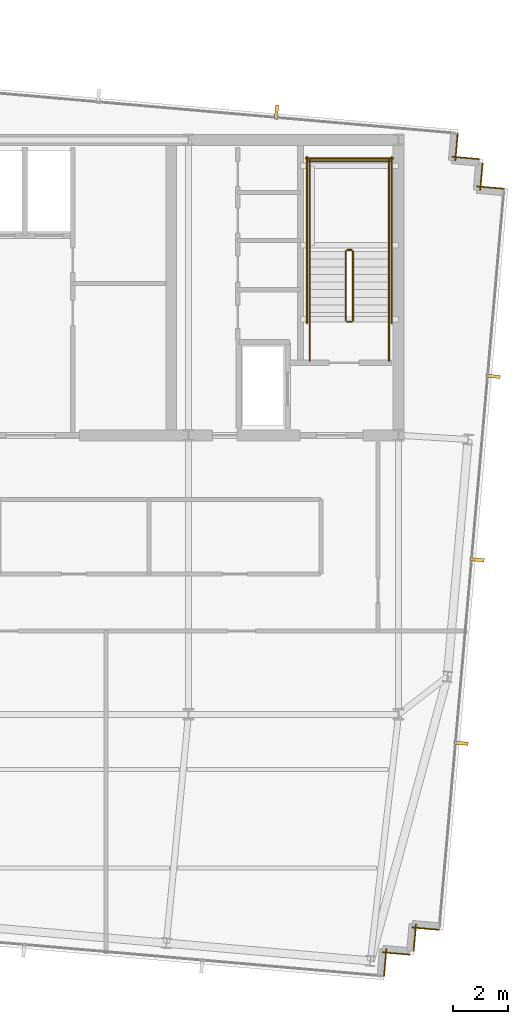
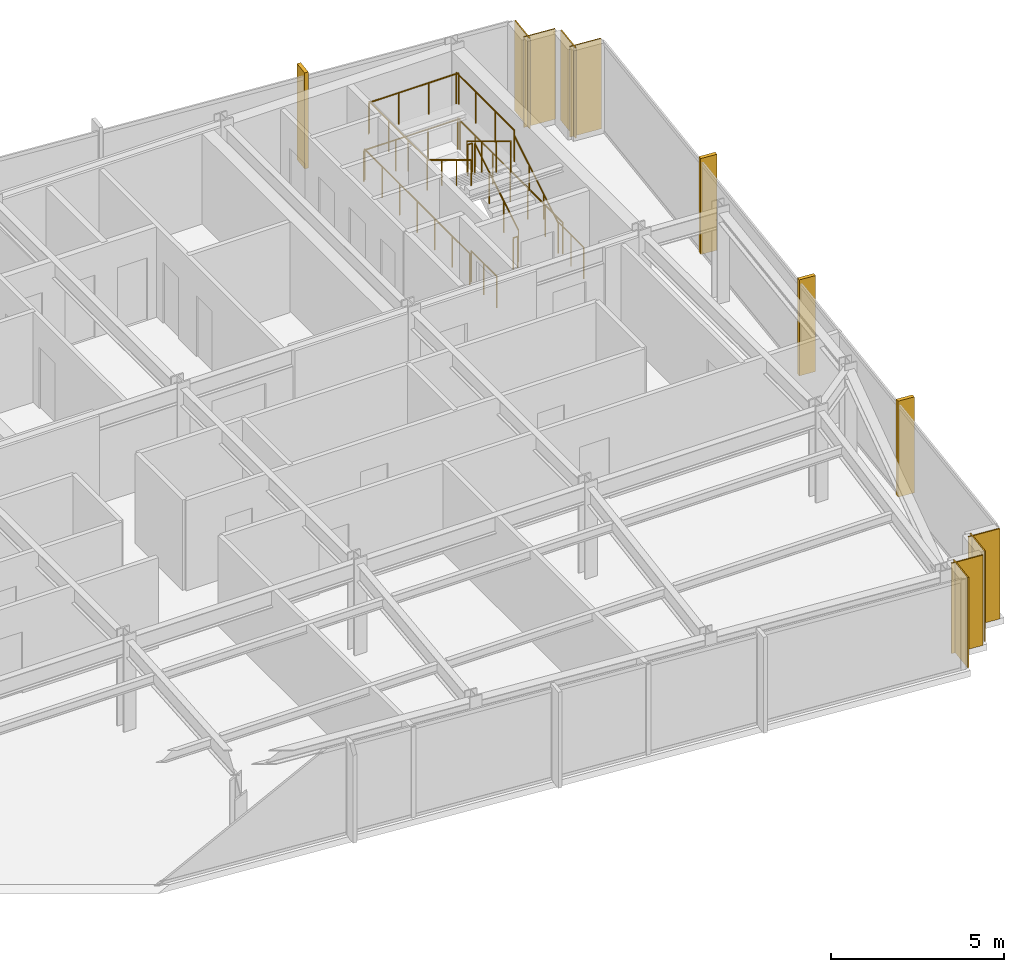
# One storey, part 31 of 32: 14 railings, 8 coverings, 4 shading devices.
"""IFC4 building model written with IfcOpenShell, lengths in metres."""

import ifcopenshell
import ifcopenshell.guid

model = None  # the IFC model being written
_history = None  # IfcOwnerHistory: only IFC2X3 demands one
_inside = {}  # id of a spatial element -> (the spatial element, [elements in it])
_under = {}  # id of a project, library or spatial element -> (it, [spatial elements below it])
_declared = {}  # id of a project -> (the project, [libraries it declares])
_typed = {}  # id of a type object -> (the type object, [elements of that type])
_made_of = {}  # id of a material, layer set ... -> (it, [elements and type objects made of it])


def new_model(schema):
    """Start an empty IFC model of exactly this schema.

    Asked for "IFC4X3", IfcOpenShell would pick the latest addendum, in which some entities
    have other attributes; the version numbers below select the first issue.
    IFC2X3 requires an IfcOwnerHistory on every rooted entity: one is made here for all.
    """
    global model, _history
    if schema == "IFC4X3":
        model = ifcopenshell.file(schema_version=(4, 3, 0, 0))
    else:
        model = ifcopenshell.file(schema=schema)
    _inside.clear()
    _under.clear()
    _declared.clear()
    _typed.clear()
    _made_of.clear()
    _history = None
    if model.schema == "IFC2X3":
        org = make("IfcOrganization", Name="unknown")
        user = make(
            "IfcPersonAndOrganization",
            ThePerson=make("IfcPerson", FamilyName="unknown"),
            TheOrganization=org,
        )
        app = make(
            "IfcApplication",
            ApplicationDeveloper=org,
            Version="unknown",
            ApplicationFullName="unknown",
            ApplicationIdentifier="unknown",
        )
        _history = make(
            "IfcOwnerHistory",
            OwningUser=user,
            OwningApplication=app,
            ChangeAction="ADDED",
            CreationDate=0,
        )
    return model


def make(cls, **values):
    """One entity of the class cls with the attributes given. An attribute that is None is left unset."""
    return model.create_entity(
        cls, **{name: value for name, value in values.items() if value is not None}
    )


def rooted(cls, **values):
    """An entity with a GlobalId (a new one), such as an element, a storey or a relation."""
    return make(cls, GlobalId=ifcopenshell.guid.new(), OwnerHistory=_history, **values)


def si_unit(unit_type, name, prefix=None):
    """IfcSIUnit, for example si_unit("LENGTHUNIT", "METRE", prefix="MILLI")."""
    return make("IfcSIUnit", UnitType=unit_type, Prefix=prefix, Name=name)


def assignment(units):
    """IfcUnitAssignment: the units of a project."""
    return None if units is None else make("IfcUnitAssignment", Units=units)


def point(xyz):
    """IfcCartesianPoint."""
    return None if xyz is None else make("IfcCartesianPoint", Coordinates=xyz)


def direction(xyz):
    """IfcDirection."""
    return None if xyz is None else make("IfcDirection", DirectionRatios=xyz)


def frame(location, z_axis=None, x_axis=None):
    """IfcAxis2Placement3D, a coordinate frame: its origin and axes. An axis left out is left unset."""
    return make(
        "IfcAxis2Placement3D",
        Location=point(location),
        Axis=direction(z_axis),
        RefDirection=direction(x_axis),
    )


def frame_2d(location, x_axis=None):
    """IfcAxis2Placement2D, a coordinate frame in the plane: its origin and x axis."""
    return make(
        "IfcAxis2Placement2D", Location=point(location), RefDirection=direction(x_axis)
    )


def origin():
    """The frame at (0, 0, 0) with its axes left unset."""
    return frame((0.0, 0.0, 0.0))


def origin_2d():
    """The frame at (0, 0) in the plane with its x axis left unset."""
    return frame_2d((0.0, 0.0))


def place(relative_to, where):
    """IfcLocalPlacement: puts the frame where relative to a parent placement (None: the world)."""
    return make(
        "IfcLocalPlacement", PlacementRelTo=relative_to, RelativePlacement=where
    )


def context(
    kind, dimensions, precision=None, world=None, true_north=None, identifier=None
):
    """IfcGeometricRepresentationContext, for example the 3D "Model" context."""
    return make(
        "IfcGeometricRepresentationContext",
        ContextIdentifier=identifier,
        ContextType=kind,
        CoordinateSpaceDimension=dimensions,
        Precision=precision,
        WorldCoordinateSystem=world,
        TrueNorth=true_north,
    )


def subcontext(parent, identifier, kind, view, scale=None):
    """IfcGeometricRepresentationSubContext, for example "Body" below "Model"."""
    return make(
        "IfcGeometricRepresentationSubContext",
        ContextIdentifier=identifier,
        ContextType=kind,
        ParentContext=parent,
        TargetScale=scale,
        TargetView=view,
    )


def project(units=None, contexts=None):
    """IfcProject with its units and contexts."""
    return rooted(
        "IfcProject",
        Name="project",
        RepresentationContexts=contexts,
        UnitsInContext=assignment(units),
    )


def spatial(cls, under=None, at=None, **own):
    """A site, building, storey or space (cls), placed at a placement, below another one or the project."""
    s = rooted(cls, ObjectPlacement=at, **own)
    if under is not None:
        _under.setdefault(under.id(), (under, []))[1].append(s)
    return s


def profile(cls, at=None, kind="AREA", **sizes):
    """A parametric profile (cls). Its sizes go by their IFC names, for example OverallWidth=200.0."""
    return make(cls, ProfileType=kind, Position=at, **sizes)


def rectangle(**sizes):
    """IfcRectangleProfileDef."""
    return profile("IfcRectangleProfileDef", **sizes)


def circle(**sizes):
    """IfcCircleProfileDef."""
    return profile("IfcCircleProfileDef", **sizes)


def extrude(swept, where, along, depth):
    """IfcExtrudedAreaSolid: the profile swept, set in the frame where, extruded along a direction by depth."""
    return make(
        "IfcExtrudedAreaSolid",
        SweptArea=swept,
        Position=where,
        ExtrudedDirection=direction(along),
        Depth=depth,
    )


def shape(context_of_items, identifier, shape_type, items):
    """IfcShapeRepresentation: the items that make up one representation, for example the "Body"."""
    return make(
        "IfcShapeRepresentation",
        ContextOfItems=context_of_items,
        RepresentationIdentifier=identifier,
        RepresentationType=shape_type,
        Items=items,
    )


def material(Name=None, Category=None):
    """IfcMaterial."""
    return make("IfcMaterial", Name=Name, Category=Category)


def layer(
    of_material, thickness, ventilated=None, Name=None, Category=None, Priority=None
):
    """IfcMaterialLayer: one layer of a wall or slab, of a material (None: an air gap)."""
    return make(
        "IfcMaterialLayer",
        Material=of_material,
        LayerThickness=thickness,
        IsVentilated=ventilated,
        Name=Name,
        Category=Category,
        Priority=Priority,
    )


def layer_set(layers, Name=None):
    """IfcMaterialLayerSet."""
    return make("IfcMaterialLayerSet", MaterialLayers=layers, LayerSetName=Name)


def made_of(thing, what):
    """Note that an element or type object is made of a material, layer set ...; save() writes the relation."""
    if what is not None:
        _made_of.setdefault(what.id(), (what, []))[1].append(thing)
    return thing


def type_object(cls, material=None, **own):
    """A type object (cls), such as IfcWallType, which elements share."""
    return made_of(rooted(cls, **own), material)


def element(
    cls,
    number,
    at=None,
    inside=None,
    cuts=None,
    type_object=None,
    material=None,
    context=None,
    identifier="Body",
    shape_type=None,
    held_by="IfcProductDefinitionShape",
    body=None,
    shapes=None,
    **own,
):
    """One element of the class cls, such as IfcWall. Its Tag is "e" and its number.

    at: its placement. inside: the storey or other place that contains it. cuts: it is an
    opening in that element (IfcRelVoidsElement). A single representation is given by context,
    identifier, shape_type and body (its items); several are given by shapes. held_by: the class
    of the entity that holds the representations. save() writes the other relations.
    """
    e = rooted(cls, Tag="e%d" % number, ObjectPlacement=at, **own)
    if body is not None:
        shapes = [shape(context, identifier, shape_type, body)]
    if shapes is not None:
        e.Representation = make(held_by, Representations=shapes)
    if inside is not None:
        _inside.setdefault(inside.id(), (inside, []))[1].append(e)
    if cuts is not None:
        rooted(
            "IfcRelVoidsElement", RelatingBuildingElement=cuts, RelatedOpeningElement=e
        )
    if type_object is not None:
        _typed.setdefault(type_object.id(), (type_object, []))[1].append(e)
    return made_of(e, material)


def aggregate(whole, parts):
    """IfcRelAggregates: a whole, such as a stair, and the parts it consists of."""
    return rooted("IfcRelAggregates", RelatingObject=whole, RelatedObjects=parts)


def save(model, path):
    """Write the relations noted so far, then the file.

    IfcRelAggregates (storeys below a building ...), IfcRelContainedInSpatialStructure (elements
    in a storey), IfcRelDefinesByType, IfcRelAssociatesMaterial and IfcRelDeclares: one each for
    every whole, place, type object, material and project.
    """
    for whole, parts in _under.values():
        aggregate(whole, parts)
    for where, things in _inside.values():
        rooted(
            "IfcRelContainedInSpatialStructure",
            RelatedElements=things,
            RelatingStructure=where,
        )
    for kind, things in _typed.values():
        rooted("IfcRelDefinesByType", RelatedObjects=things, RelatingType=kind)
    for what, things in _made_of.values():
        rooted("IfcRelAssociatesMaterial", RelatedObjects=things, RelatingMaterial=what)
    for by, libraries in _declared.values():
        rooted("IfcRelDeclares", RelatingContext=by, RelatedDefinitions=libraries)
    model.write(path)


model = new_model("IFC4")

# Units and contexts
model_context = context("Model", 3, precision=1e-05, world=origin(), true_north=direction((0.0, 1.0)))
body_context = subcontext(model_context, "Body", "Model", "MODEL_VIEW")
ifc_project = project(units=[si_unit("LENGTHUNIT", "METRE"), si_unit("AREAUNIT", "SQUARE_METRE"), si_unit("VOLUMEUNIT", "CUBIC_METRE"), si_unit("PLANEANGLEUNIT", "RADIAN"), si_unit("MASSUNIT", "GRAM", prefix="KILO")], contexts=[model_context])

# Site, building, storey
site_placement = place(None, origin())
site = spatial("IfcSite", under=ifc_project, at=site_placement, CompositionType="ELEMENT")
building_placement = place(site_placement, origin())
building = spatial("IfcBuilding", under=site, at=building_placement, Name="Yelkora Congress Tower", CompositionType="ELEMENT")
storey_placement = place(building_placement, frame((0.0, 0.0, 272.699951171875)))
storey = spatial("IfcBuildingStorey", under=building, at=storey_placement, Name="L76", CompositionType="ELEMENT", Elevation=272.699951171875)

# Coverings
ifc_material_1 = material(Name="Anatolian bush-hammered limestone", Category="masonry")
ifc_layer_1 = layer(ifc_material_1, 0.0400390625)
ifc_layer_set_1 = layer_set([ifc_layer_1], Name="Anatolian bush-hammered limestone")
covering_type = type_object("IfcCoveringType", Name="COV-CLAD-SPANDREL-40", PredefinedType="CLADDING", material=ifc_layer_set_1)
for number, where, z_axis, x_axis, name in (
    (1, (55.92041015625, 46.431396484375, 0.0), (0.0, 0.0, 1.0), (-0.086903493655, -0.996216734848, 0.0), "L76 Anatolian Limestone Cladding EW-L76-SR11"),
    (2, (55.710693359375, 45.581298828125, 0.0), (0.0, 0.0, 1.0), (0.996193717496, -0.087166950281, 0.0), "L76 Anatolian Limestone Cladding EW-L76-SR12"),
    (3, (56.82958984375, 45.347900390625, 0.0), (0.0, 0.0, 1.0), (-0.087166950281, -0.996193717496, 0.0), "L76 Anatolian Limestone Cladding EW-L76-SR13"),
):
    element("IfcCovering", number, at=place(storey_placement, frame(where, z_axis=z_axis, x_axis=x_axis)), inside=storey, type_object=covering_type, Name=name, PredefinedType="CLADDING", context=body_context, shape_type="SweptSolid", body=[
        extrude(rectangle(XDim=1.0, YDim=0.0400390625, at=frame_2d((0.5, 0.0))), origin(), (0.0, 0.0, 1.0), 3.179931640625),
    ])
covering_1_placement = place(storey_placement, frame((56.61962890625, 44.498046875, 0.0), z_axis=(0.0, 0.0, 1.0), x_axis=(0.996195572005, -0.087145753297, 0.0)))
element("IfcCovering", 4, at=covering_1_placement, inside=storey, type_object=covering_type, Name="L76 Anatolian Limestone Cladding EW-L76-SR14", PredefinedType="CLADDING", context=body_context, shape_type="SweptSolid", body=[
    extrude(rectangle(XDim=1.000244140625, YDim=0.0400390625, at=frame_2d((0.5, 0.0))), origin(), (0.0, 0.0, 1.0), 3.179931640625),
])
for number, where, z_axis, x_axis, name in (
    (5, (55.24609375, 17.32421875, 0.0), (0.0, 0.0, 1.0), (-0.99617248636, 0.08740925248, 0.0), "L76 Anatolian Limestone Cladding EW-L76-SR16"),
    (6, (54.396240234375, 17.5341796875, 0.0), (0.0, 0.0, 1.0), (-0.087166950281, -0.996193717496, 0.0), "L76 Anatolian Limestone Cladding EW-L76-SR17"),
):
    element("IfcCovering", number, at=place(storey_placement, frame(where, z_axis=z_axis, x_axis=x_axis)), inside=storey, type_object=covering_type, Name=name, PredefinedType="CLADDING", context=body_context, shape_type="SweptSolid", body=[
        extrude(rectangle(XDim=1.0, YDim=0.0400390625, at=frame_2d((0.5, 0.0))), origin(), (0.0, 0.0, 1.0), 3.179931640625),
    ])
covering_2_placement = place(storey_placement, frame((54.162841796875, 16.415283203125, 0.0), z_axis=(0.0, 0.0, 1.0), x_axis=(-0.996195572005, 0.087145753297, 0.0)))
element("IfcCovering", 7, at=covering_2_placement, inside=storey, type_object=covering_type, Name="L76 Anatolian Limestone Cladding EW-L76-SR18", PredefinedType="CLADDING", context=body_context, shape_type="SweptSolid", body=[
    extrude(rectangle(XDim=1.000244140625, YDim=0.0400390625, at=frame_2d((0.5, 0.0))), origin(), (0.0, 0.0, 1.0), 3.179931640625),
])
covering_3_placement = place(storey_placement, frame((53.312744140625, 16.625, 0.0), z_axis=(0.0, 0.0, 1.0), x_axis=(-0.087166950281, -0.996193717496, 0.0)))
element("IfcCovering", 8, at=covering_3_placement, inside=storey, type_object=covering_type, Name="L76 Anatolian Limestone Cladding EW-L76-SR19", PredefinedType="CLADDING", context=body_context, shape_type="SweptSolid", body=[
    extrude(rectangle(XDim=1.0, YDim=0.0400390625, at=frame_2d((0.5, 0.0))), origin(), (0.0, 0.0, 1.0), 3.179931640625),
])

# Railings
ifc_material_2 = material(Name="Painted galvanised steel stair well guard with vertical infill", Category="steel")
ifc_layer_2 = layer(ifc_material_2, 0.06005859375)
ifc_layer_set_2 = layer_set([ifc_layer_2], Name="Painted galvanised steel stair well guard with vertical infill")
railing_type_1 = type_object("IfcRailingType", Name="RAIL-STAIR-GUARD-1120", PredefinedType="GUARDRAIL", material=ifc_layer_set_2)
railing_1_placement = place(storey_placement, frame((52.090087890625, 39.60009765625, 0.170166015625)))
element("IfcRailing", 9, at=railing_1_placement, inside=storey, type_object=railing_type_1, Name="ST-02 L76 Stair Well Guardrail 1", PredefinedType="GUARDRAIL", context=body_context, shape_type="SweptSolid", body=[
    extrude(circle(Radius=0.02392578125, at=origin_2d()), frame((0.0, 0.0, 1.09619140625), z_axis=(0.0, 0.854821627497, 0.518921945155), x_axis=(-1.0, 0.0, 0.0)), (0.0, 0.0, 1.0), 2.947998046875),
    extrude(circle(Radius=0.02099609375, at=origin_2d()), origin(), (0.0, 0.0, 1.0), 1.072021484375),
    extrude(circle(Radius=0.02099609375, at=origin_2d()), frame((0.0, 0.840087890625, 0.510009765625)), (0.0, 0.0, 1.0), 1.072021484375),
    extrude(circle(Radius=0.02099609375, at=origin_2d()), frame((0.0, 1.679931640625, 1.019775390625)), (0.0, 0.0, 1.0), 1.072021484375),
    extrude(circle(Radius=0.02099609375, at=origin_2d()), frame((0.0, 2.52001953125, 1.52978515625)), (0.0, 0.0, 1.0), 1.072021484375),
])
railing_2_placement = place(storey_placement, frame((52.0400390625, 42.169921875, 1.699951171875)))
element("IfcRailing", 10, at=railing_2_placement, inside=storey, type_object=railing_type_1, Name="ST-02 L76 Stair Well Guardrail 2", PredefinedType="GUARDRAIL", context=body_context, shape_type="SweptSolid", body=[
    extrude(circle(Radius=0.02392578125, at=origin_2d()), frame((0.0, 0.0, 1.09619140625), z_axis=(-1.0, 0.0, 0.0), x_axis=(0.0, -1.0, 0.0)), (0.0, 0.0, 1.0), 0.16015625),
    extrude(circle(Radius=0.02099609375, at=origin_2d()), origin(), (0.0, 0.0, 1.0), 1.072021484375),
    extrude(circle(Radius=0.02099609375, at=origin_2d()), frame((-0.16015625, 0.0, 0.0)), (0.0, 0.0, 1.0), 1.072021484375),
])
for number, where, name in (
    (11, (53.409912109375, 42.1201171875, 1.699951171875), "ST-02 L76 Stair Well Guardrail 3"),
    (12, (50.510009765625, 42.1201171875, 1.699951171875), "ST-02 L76 Stair Well Guardrail 4"),
):
    element("IfcRailing", number, at=place(storey_placement, frame(where)), inside=storey, type_object=railing_type_1, Name=name, PredefinedType="GUARDRAIL", context=body_context, shape_type="SweptSolid", body=[
        extrude(circle(Radius=0.02392578125, at=origin_2d()), frame((0.0, 0.0, 1.09619140625), z_axis=(0.0, 1.0, 0.0), x_axis=(-1.0, 0.0, 0.0)), (0.0, 0.0, 1.0), 3.349853515625),
        extrude(circle(Radius=0.02099609375, at=origin_2d()), origin(), (0.0, 0.0, 1.0), 1.072021484375),
        extrude(circle(Radius=0.02099609375, at=origin_2d()), frame((0.0, 1.11669921875, 0.0)), (0.0, 0.0, 1.0), 1.072021484375),
        extrude(circle(Radius=0.02099609375, at=origin_2d()), frame((0.0, 2.233154296875, 0.0)), (0.0, 0.0, 1.0), 1.072021484375),
        extrude(circle(Radius=0.02099609375, at=origin_2d()), frame((0.0, 3.349853515625, 0.0)), (0.0, 0.0, 1.0), 1.072021484375),
    ])
railing_3_placement = place(storey_placement, frame((53.4599609375, 45.419921875, 1.699951171875)))
element("IfcRailing", 13, at=railing_3_placement, inside=storey, type_object=railing_type_1, Name="ST-02 L76 Stair Well Guardrail 5", PredefinedType="GUARDRAIL", context=body_context, shape_type="SweptSolid", body=[
    extrude(circle(Radius=0.02392578125, at=origin_2d()), frame((0.0, 0.0, 1.09619140625), z_axis=(-1.0, 0.0, 0.0), x_axis=(0.0, -1.0, 0.0)), (0.0, 0.0, 1.0), 3.0),
    extrude(circle(Radius=0.02099609375, at=origin_2d()), origin(), (0.0, 0.0, 1.0), 1.072021484375),
    extrude(circle(Radius=0.02099609375, at=origin_2d()), frame((-1.0, 0.0, 0.0)), (0.0, 0.0, 1.0), 1.072021484375),
    extrude(circle(Radius=0.02099609375, at=origin_2d()), frame((-2.0, 0.0, 0.0)), (0.0, 0.0, 1.0), 1.072021484375),
    extrude(circle(Radius=0.02099609375, at=origin_2d()), frame((-3.0, 0.0, 0.0)), (0.0, 0.0, 1.0), 1.072021484375),
])
railing_4_placement = place(storey_placement, frame((51.830078125, 42.1201171875, 1.8701171875)))
element("IfcRailing", 14, at=railing_4_placement, inside=storey, type_object=railing_type_1, Name="ST-02 L76 Stair Well Guardrail 6", PredefinedType="GUARDRAIL", context=body_context, shape_type="SweptSolid", body=[
    extrude(circle(Radius=0.02392578125, at=origin_2d()), frame((0.0, 0.0, 1.09619140625), z_axis=(0.0, -0.85478489116, 0.518982456201), x_axis=(1.0, 0.0, 0.0)), (0.0, 0.0, 1.0), 2.9482421875),
    extrude(circle(Radius=0.02099609375, at=origin_2d()), origin(), (0.0, 0.0, 1.0), 1.072021484375),
    extrude(circle(Radius=0.02099609375, at=origin_2d()), frame((0.0, -0.840087890625, 0.510009765625)), (0.0, 0.0, 1.0), 1.072021484375),
    extrude(circle(Radius=0.02099609375, at=origin_2d()), frame((0.0, -1.679931640625, 1.02001953125)), (0.0, 0.0, 1.0), 1.072021484375),
    extrude(circle(Radius=0.02099609375, at=origin_2d()), frame((0.0, -2.52001953125, 1.530029296875)), (0.0, 0.0, 1.0), 1.072021484375),
])
railing_5_placement = place(storey_placement, frame((52.0400390625, 39.550048828125, 0.0)))
element("IfcRailing", 15, at=railing_5_placement, inside=storey, type_object=railing_type_1, Name="ST-02 L76 Stair Well Guardrail 7", PredefinedType="GUARDRAIL", context=body_context, shape_type="SweptSolid", body=[
    extrude(circle(Radius=0.02392578125, at=origin_2d()), frame((0.0, 0.0, 1.09619140625), z_axis=(-1.0, 0.0, 0.0), x_axis=(0.0, -1.0, 0.0)), (0.0, 0.0, 1.0), 0.16015625),
    extrude(circle(Radius=0.02099609375, at=origin_2d()), origin(), (0.0, 0.0, 1.0), 1.072021484375),
    extrude(circle(Radius=0.02099609375, at=origin_2d()), frame((-0.16015625, 0.0, 0.0)), (0.0, 0.0, 1.0), 1.072021484375),
])
for number, where, name in (
    (16, (53.409912109375, 38.1201171875, 0.0), "ST-02 L76 Stair Well Guardrail 8"),
    (17, (50.510009765625, 38.1201171875, 0.0), "ST-02 L76 Stair Well Guardrail 9"),
):
    element("IfcRailing", number, at=place(storey_placement, frame(where)), inside=storey, type_object=railing_type_1, Name=name, PredefinedType="GUARDRAIL", context=body_context, shape_type="SweptSolid", body=[
        extrude(circle(Radius=0.02392578125, at=origin_2d()), frame((0.0, 0.0, 1.09619140625), z_axis=(0.0, 1.0, 0.0), x_axis=(-1.0, 0.0, 0.0)), (0.0, 0.0, 1.0), 1.47998046875),
        extrude(circle(Radius=0.02099609375, at=origin_2d()), origin(), (0.0, 0.0, 1.0), 1.072021484375),
        extrude(circle(Radius=0.02099609375, at=origin_2d()), frame((0.0, 0.739990234375, 0.0)), (0.0, 0.0, 1.0), 1.072021484375),
        extrude(circle(Radius=0.02099609375, at=origin_2d()), frame((0.0, 1.47998046875, 0.0)), (0.0, 0.0, 1.0), 1.072021484375),
    ])
for number, where, name in (
    (18, (53.510009765625, 39.5, 0.0), "ST-02 L76 Stair Well Guardrail 10"),
    (19, (50.409912109375, 39.5, 0.0), "ST-02 L76 Stair Well Guardrail 11"),
):
    element("IfcRailing", number, at=place(storey_placement, frame(where)), inside=storey, type_object=railing_type_1, Name=name, PredefinedType="GUARDRAIL", context=body_context, shape_type="SweptSolid", body=[
        extrude(circle(Radius=0.02392578125, at=origin_2d()), frame((0.0, 0.0, 1.09619140625), z_axis=(0.0, 1.0, 0.0), x_axis=(-1.0, 0.0, 0.0)), (0.0, 0.0, 1.0), 6.070068359375),
        extrude(circle(Radius=0.02099609375, at=origin_2d()), origin(), (0.0, 0.0, 1.0), 1.072021484375),
        extrude(circle(Radius=0.02099609375, at=origin_2d()), frame((0.0, 1.01171875, 0.0)), (0.0, 0.0, 1.0), 1.072021484375),
        extrude(circle(Radius=0.02099609375, at=origin_2d()), frame((0.0, 2.0234375, 0.0)), (0.0, 0.0, 1.0), 1.072021484375),
        extrude(circle(Radius=0.02099609375, at=origin_2d()), frame((0.0, 3.03515625, 0.0)), (0.0, 0.0, 1.0), 1.072021484375),
        extrude(circle(Radius=0.02099609375, at=origin_2d()), frame((0.0, 4.046630859375, 0.0)), (0.0, 0.0, 1.0), 1.072021484375),
        extrude(circle(Radius=0.02099609375, at=origin_2d()), frame((0.0, 5.058349609375, 0.0)), (0.0, 0.0, 1.0), 1.072021484375),
        extrude(circle(Radius=0.02099609375, at=origin_2d()), frame((0.0, 6.070068359375, 0.0)), (0.0, 0.0, 1.0), 1.072021484375),
    ])
railing_6_placement = place(storey_placement, frame((53.56005859375, 45.52001953125, 0.0)))
element("IfcRailing", 20, at=railing_6_placement, inside=storey, type_object=railing_type_1, Name="ST-02 L76 Stair Well Guardrail 12", PredefinedType="GUARDRAIL", context=body_context, shape_type="SweptSolid", body=[
    extrude(circle(Radius=0.02392578125, at=origin_2d()), frame((0.0, 0.0, 1.09619140625), z_axis=(-1.0, 0.0, 0.0), x_axis=(0.0, -1.0, 0.0)), (0.0, 0.0, 1.0), 3.199951171875),
    extrude(circle(Radius=0.02099609375, at=origin_2d()), origin(), (0.0, 0.0, 1.0), 1.072021484375),
    extrude(circle(Radius=0.02099609375, at=origin_2d()), frame((-1.066650390625, 0.0, 0.0)), (0.0, 0.0, 1.0), 1.072021484375),
    extrude(circle(Radius=0.02099609375, at=origin_2d()), frame((-2.13330078125, 0.0, 0.0)), (0.0, 0.0, 1.0), 1.072021484375),
    extrude(circle(Radius=0.02099609375, at=origin_2d()), frame((-3.199951171875, 0.0, 0.0)), (0.0, 0.0, 1.0), 1.072021484375),
])
ifc_material_3 = material(Name="Brushed stainless steel tubular handrail", Category="steel")
ifc_layer_3 = layer(ifc_material_3, 0.050048828125)
ifc_layer_set_3 = layer_set([ifc_layer_3], Name="Brushed stainless steel tubular handrail")
railing_type_2 = type_object("IfcRailingType", Name="RAIL-STAIR-HAND-920", PredefinedType="HANDRAIL", material=ifc_layer_set_3)
railing_7_placement = place(storey_placement, frame((53.409912109375, 39.60009765625, 0.170166015625)))
element("IfcRailing", 21, at=railing_7_placement, inside=storey, type_object=railing_type_2, Name="ST-02 L76 Pitch Handrail 1", PredefinedType="HANDRAIL", context=body_context, shape_type="SweptSolid", body=[
    extrude(circle(Radius=0.02392578125, at=origin_2d()), frame((0.0, 0.0, 0.89599609375), z_axis=(0.0, 0.854821627497, 0.518921945155), x_axis=(-1.0, 0.0, 0.0)), (0.0, 0.0, 1.0), 2.947998046875),
    extrude(circle(Radius=0.02099609375, at=origin_2d()), origin(), (0.0, 0.0, 1.0), 0.871826171875),
    extrude(circle(Radius=0.02099609375, at=origin_2d()), frame((0.0, 0.840087890625, 0.510009765625)), (0.0, 0.0, 1.0), 0.871826171875),
    extrude(circle(Radius=0.02099609375, at=origin_2d()), frame((0.0, 1.679931640625, 1.019775390625)), (0.0, 0.0, 1.0), 0.871826171875),
    extrude(circle(Radius=0.02099609375, at=origin_2d()), frame((0.0, 2.52001953125, 1.52978515625)), (0.0, 0.0, 1.0), 0.871826171875),
])
railing_8_placement = place(storey_placement, frame((50.510009765625, 42.1201171875, 1.8701171875)))
element("IfcRailing", 22, at=railing_8_placement, inside=storey, type_object=railing_type_2, Name="ST-02 L76 Pitch Handrail 2", PredefinedType="HANDRAIL", context=body_context, shape_type="SweptSolid", body=[
    extrude(circle(Radius=0.02392578125, at=origin_2d()), frame((0.0, 0.0, 0.89599609375), z_axis=(0.0, -0.85478489116, 0.518982456201), x_axis=(1.0, 0.0, 0.0)), (0.0, 0.0, 1.0), 2.9482421875),
    extrude(circle(Radius=0.02099609375, at=origin_2d()), origin(), (0.0, 0.0, 1.0), 0.871826171875),
    extrude(circle(Radius=0.02099609375, at=origin_2d()), frame((0.0, -0.840087890625, 0.510009765625)), (0.0, 0.0, 1.0), 0.871826171875),
    extrude(circle(Radius=0.02099609375, at=origin_2d()), frame((0.0, -1.679931640625, 1.02001953125)), (0.0, 0.0, 1.0), 0.871826171875),
    extrude(circle(Radius=0.02099609375, at=origin_2d()), frame((0.0, -2.52001953125, 1.530029296875)), (0.0, 0.0, 1.0), 0.871826171875),
])

# Shading devices
ifc_material_4 = material(Name="Champagne anodised aluminium", Category="aluminium")
ifc_layer_4 = layer(ifc_material_4, 3.300048828125)
ifc_layer_set_4 = layer_set([ifc_layer_4], Name="Champagne anodised aluminium")
shading_device_type = type_object("IfcShadingDeviceType", Name="SHD-FIN-ALU-520", PredefinedType="USERDEFINED", material=ifc_layer_set_4)
for number, where, z_axis, x_axis, name in (
    (23, (49.296875, 47.21142578125, -0.02978515625), (0.0, 0.0, 1.0), (0.996194698092, -0.087155742748, 0.0), "L76 Vertical Anodised Solar Fin 10-6"),
    (24, (57.216796875, 37.554443359375, -0.02978515625), (0.0, 0.0, 1.0), (-0.087155742748, -0.996194698092, 0.0), "L76 Vertical Anodised Solar Fin 15-1"),
    (25, (56.630126953125, 30.85009765625, -0.02978515625), (0.0, 0.0, 1.0), (-0.087155742748, -0.996194698092, 0.0), "L76 Vertical Anodised Solar Fin 15-2"),
    (26, (56.043701171875, 24.145751953125, -0.02978515625), (0.0, 0.0, 1.0), (-0.087155742748, -0.996194698092, 0.0), "L76 Vertical Anodised Solar Fin 15-3"),
):
    element("IfcShadingDevice", number, at=place(storey_placement, frame(where, z_axis=z_axis, x_axis=x_axis)), inside=storey, type_object=shading_device_type, Name=name, ObjectType="FIN", PredefinedType="USERDEFINED", context=body_context, shape_type="SweptSolid", body=[
        extrude(rectangle(XDim=0.1201171875, YDim=0.52001953125, at=origin_2d()), origin(), (0.0, 0.0, 1.0), 3.3798828125),
    ])

save(model, "model.ifc")
